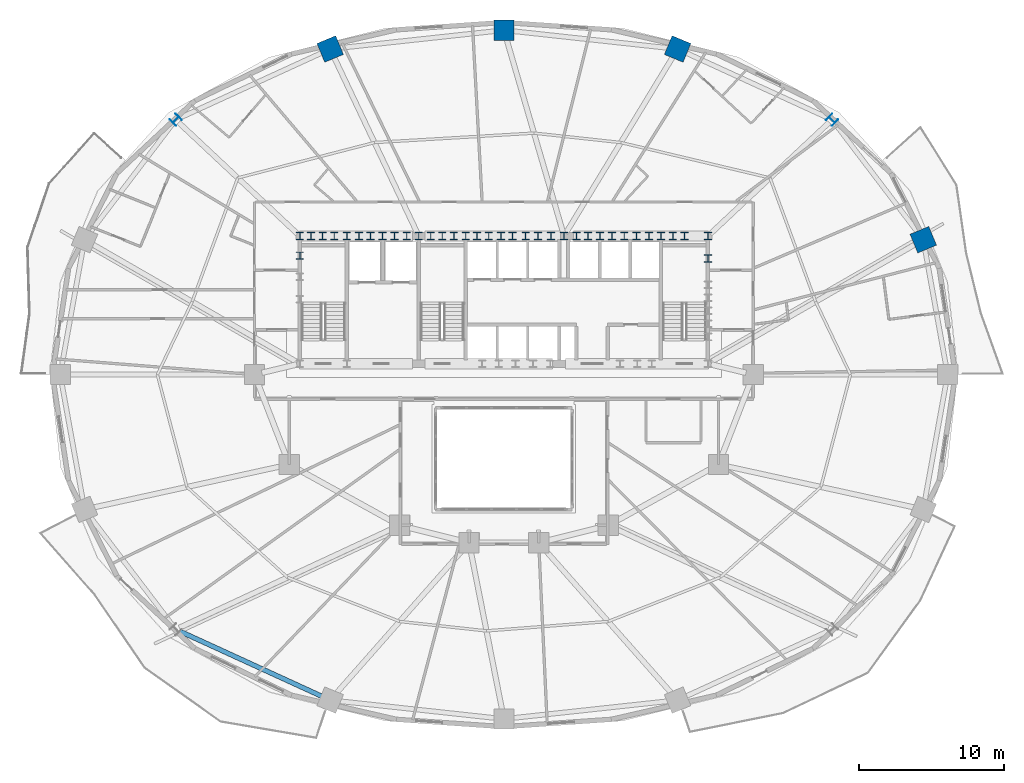
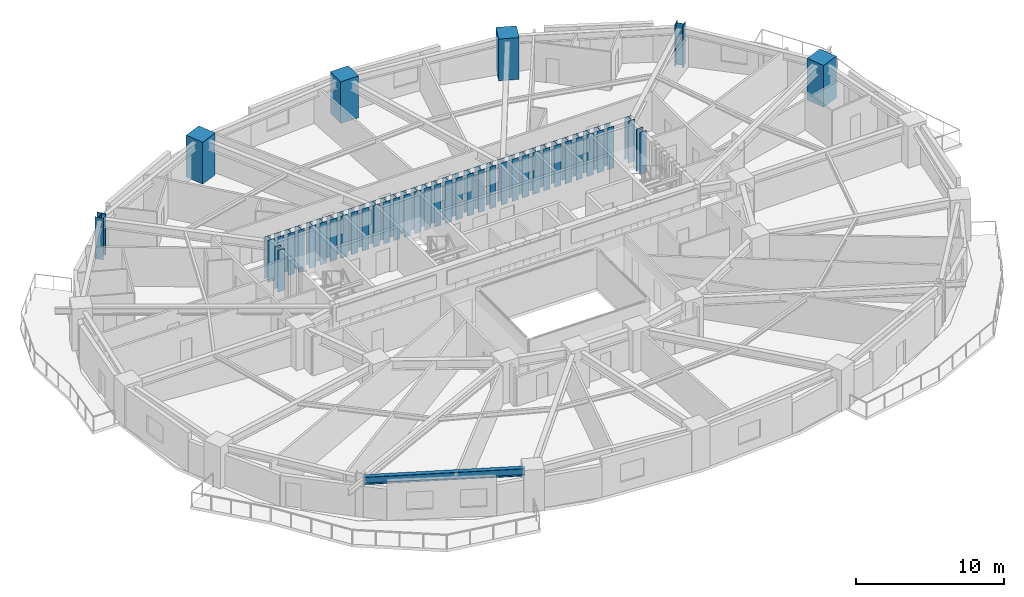
# One storey, part 2 of 17: 42 columns, 1 beam.
"""IFC4 building model written with IfcOpenShell, lengths in metres."""

from ifc_helpers import new_model, si_unit, direction, frame, origin, origin_2d, place, context, subcontext, project, spatial, rectangle, i_section, extrude, material, material_profile, profile_set, type_object, element, save


model = new_model("IFC4")

# Units and contexts
model_context = context("Model", 3, precision=1e-05, world=origin(), true_north=direction((0.0, 1.0)))
body_context = subcontext(model_context, "Body", "Model", "MODEL_VIEW")
ifc_project = project(units=[si_unit("LENGTHUNIT", "METRE"), si_unit("AREAUNIT", "SQUARE_METRE"), si_unit("VOLUMEUNIT", "CUBIC_METRE"), si_unit("PLANEANGLEUNIT", "RADIAN"), si_unit("MASSUNIT", "GRAM", prefix="KILO")], contexts=[model_context])

# Site, building, storey
site_placement = place(None, origin())
site = spatial("IfcSite", under=ifc_project, at=site_placement, CompositionType="ELEMENT")
building_placement = place(site_placement, origin())
building = spatial("IfcBuilding", under=site, at=building_placement, Name="Haldorwick Loom Tower", CompositionType="ELEMENT")
storey_placement = place(building_placement, frame((0.0, 0.0, 30.89990234375)))
storey = spatial("IfcBuildingStorey", under=building, at=storey_placement, Name="L07", CompositionType="ELEMENT", Elevation=30.89990234375)

# Columns
ifc_material_1 = material(Name="Concrete C60 (60 MPa)", Category="concrete")
ifc_material_profile_1 = material_profile(ifc_material_1, rectangle(XDim=1.39990234375, YDim=1.39990234375, at=origin_2d()), Name="RC1400X1400", Category="concrete")
ifc_profile_set_1 = profile_set([ifc_material_profile_1], Name="Concrete C60 (60 MPa)")
column_type_1 = type_object("IfcColumnType", Name="STR-COL-RC1400", PredefinedType="PILASTER", material=ifc_profile_set_1)
for number, where, z_axis, x_axis, name in (
    (1, (64.91748046875, 35.29931640625, 0.0), (0.0, 0.0, 1.0), (0.923879532511, 0.382683432365, 0.0), "L07 Perimeter Pier Column P02"),
    (2, (47.97802734375, 48.4501953125, 0.0), (0.0, 0.0, 1.0), (0.382683432365, 0.923879532511, 0.0), "L07 Perimeter Pier Column P04"),
    (3, (36.0, 49.75, 0.0), (0.0, 0.0, 1.0), (0.0, 1.0, 0.0), "L07 Perimeter Pier Column P05"),
    (4, (24.02197265625, 48.4501953125, 0.0), (0.0, 0.0, 1.0), (-0.382683432365, 0.923879532511, 0.0), "L07 Perimeter Pier Column P06"),
):
    element("IfcColumn", number, at=place(storey_placement, frame(where, z_axis=z_axis, x_axis=x_axis)), inside=storey, type_object=column_type_1, Name=name, PredefinedType="PILASTER", context=body_context, shape_type="SweptSolid", body=[
        extrude(rectangle(XDim=1.39990234375, YDim=1.39990234375, at=origin_2d()), origin(), (0.0, 0.0, 1.0), 3.4501953125),
    ])
ifc_material_2 = material(Name="Steel CSA G40.21 350WT", Category="steel")
ifc_material_profile_2 = material_profile(ifc_material_2, i_section(OverallWidth=0.5, OverallDepth=0.5, WebThickness=0.02197265625, FlangeThickness=0.031982421875, at=origin_2d()), Name="WWF500X500", Category="steel")
ifc_profile_set_2 = profile_set([ifc_material_profile_2], Name="Steel CSA G40.21 350WT")
column_type_2 = type_object("IfcColumnType", Name="STR-COL-WWF500", PredefinedType="COLUMN", material=ifc_profile_set_2)
for number, where, z_axis, x_axis, name in (
    (5, (21.929931640625, 35.550048828125, 0.0), (0.0, 0.0, 1.0), (1.0, 0.0, 0.0), "L07 Core Pilaster CB-01"),
    (6, (23.5, 35.550048828125, 0.0), (0.0, 0.0, 1.0), (1.0, 0.0, 0.0), "L07 Core Pilaster CB-02"),
    (7, (25.169921875, 35.550048828125, 0.0), (0.0, 0.0, 1.0), (1.0, 0.0, 0.0), "L07 Core Pilaster CB-03"),
    (8, (26.800048828125, 35.550048828125, 0.0), (0.0, 0.0, 1.0), (1.0, 0.0, 0.0), "L07 Core Pilaster CB-04"),
    (9, (28.449951171875, 35.550048828125, 0.0), (0.0, 0.0, 1.0), (1.0, 0.0, 0.0), "L07 Core Pilaster CB-05"),
    (10, (30.1298828125, 35.550048828125, 0.0), (0.0, 0.0, 1.0), (1.0, 0.0, 0.0), "L07 Core Pilaster CB-06"),
    (11, (31.75, 35.550048828125, 0.0), (0.0, 0.0, 1.0), (1.0, 0.0, 0.0), "L07 Core Pilaster CB-07"),
    (12, (33.3701171875, 35.550048828125, 0.0), (0.0, 0.0, 1.0), (1.0, 0.0, 0.0), "L07 Core Pilaster CB-08"),
    (13, (34.949951171875, 35.550048828125, 0.0), (0.0, 0.0, 1.0), (1.0, 0.0, 0.0), "L07 Core Pilaster CB-09"),
    (14, (36.60009765625, 35.550048828125, 0.0), (0.0, 0.0, 1.0), (1.0, 0.0, 0.0), "L07 Core Pilaster CB-10"),
    (15, (38.35009765625, 35.550048828125, 0.0), (0.0, 0.0, 1.0), (1.0, 0.0, 0.0), "L07 Core Pilaster CB-11"),
    (16, (40.14990234375, 35.550048828125, 0.0), (0.0, 0.0, 1.0), (1.0, 0.0, 0.0), "L07 Core Pilaster CB-12"),
    (17, (41.800048828125, 35.550048828125, 0.0), (0.0, 0.0, 1.0), (1.0, 0.0, 0.0), "L07 Core Pilaster CB-13"),
    (18, (43.449951171875, 35.550048828125, 0.0), (0.0, 0.0, 1.0), (1.0, 0.0, 0.0), "L07 Core Pilaster CB-14"),
    (19, (45.14990234375, 35.550048828125, 0.0), (0.0, 0.0, 1.0), (1.0, 0.0, 0.0), "L07 Core Pilaster CB-15"),
    (20, (46.830078125, 35.550048828125, 0.0), (0.0, 0.0, 1.0), (1.0, 0.0, 0.0), "L07 Core Pilaster CB-16"),
    (21, (48.449951171875, 35.550048828125, 0.0), (0.0, 0.0, 1.0), (1.0, 0.0, 0.0), "L07 Core Pilaster CB-17"),
    (22, (50.070068359375, 35.550048828125, 0.0), (0.0, 0.0, 1.0), (1.0, 0.0, 0.0), "L07 Core Pilaster CB-18"),
    (23, (21.929931640625, 34.199951171875, 0.0), (0.0, 0.0, 1.0), (1.0, 0.0, 0.0), "L07 Core Pilaster CB-28"),
    (24, (50.070068359375, 34.0, 0.0), (0.0, 0.0, 1.0), (1.0, 0.0, 0.0), "L07 Core Pilaster CB-32"),
    (25, (22.699951171875, 35.550048828125, 0.0), (0.0, 0.0, 1.0), (1.0, 0.0, 0.0), "L07 Core Pilaster CB-33"),
    (26, (27.6201171875, 35.550048828125, 0.0), (0.0, 0.0, 1.0), (1.0, 0.0, 0.0), "L07 Core Pilaster CB-34"),
    (27, (32.550048828125, 35.550048828125, 0.0), (0.0, 0.0, 1.0), (1.0, 0.0, 0.0), "L07 Core Pilaster CB-35"),
    (28, (37.5, 35.550048828125, 0.0), (0.0, 0.0, 1.0), (1.0, 0.0, 0.0), "L07 Core Pilaster CB-36"),
    (29, (42.6201171875, 35.550048828125, 0.0), (0.0, 0.0, 1.0), (1.0, 0.0, 0.0), "L07 Core Pilaster CB-37"),
    (30, (47.64990234375, 35.550048828125, 0.0), (0.0, 0.0, 1.0), (1.0, 0.0, 0.0), "L07 Core Pilaster CB-38"),
    (31, (24.300048828125, 35.550048828125, 0.0), (0.0, 0.0, 1.0), (1.0, 0.0, 0.0), "L07 Core Pilaster CB-39"),
    (32, (26.0, 35.550048828125, 0.0), (0.0, 0.0, 1.0), (1.0, 0.0, 0.0), "L07 Core Pilaster CB-40"),
    (33, (29.300048828125, 35.550048828125, 0.0), (0.0, 0.0, 1.0), (1.0, 0.0, 0.0), "L07 Core Pilaster CB-41"),
    (34, (30.949951171875, 35.550048828125, 0.0), (0.0, 0.0, 1.0), (1.0, 0.0, 0.0), "L07 Core Pilaster CB-42"),
    (35, (34.14990234375, 35.550048828125, 0.0), (0.0, 0.0, 1.0), (1.0, 0.0, 0.0), "L07 Core Pilaster CB-43"),
    (36, (35.800048828125, 35.550048828125, 0.0), (0.0, 0.0, 1.0), (1.0, 0.0, 0.0), "L07 Core Pilaster CB-44"),
    (37, (39.25, 35.550048828125, 0.0), (0.0, 0.0, 1.0), (1.0, 0.0, 0.0), "L07 Core Pilaster CB-45"),
    (38, (41.0, 35.550048828125, 0.0), (0.0, 0.0, 1.0), (1.0, 0.0, 0.0), "L07 Core Pilaster CB-46"),
    (39, (44.300048828125, 35.550048828125, 0.0), (0.0, 0.0, 1.0), (1.0, 0.0, 0.0), "L07 Core Pilaster CB-47"),
    (40, (46.0, 35.550048828125, 0.0), (0.0, 0.0, 1.0), (1.0, 0.0, 0.0), "L07 Core Pilaster CB-48"),
):
    element("IfcColumn", number, at=place(storey_placement, frame(where, z_axis=z_axis, x_axis=x_axis)), inside=storey, type_object=column_type_2, Name=name, PredefinedType="COLUMN", context=body_context, shape_type="SweptSolid", body=[
        extrude(i_section(OverallWidth=0.5, OverallDepth=0.5, WebThickness=0.02197265625, FlangeThickness=0.031982421875, at=origin_2d()), origin(), (0.0, 0.0, 1.0), 3.4501953125),
    ])
ifc_material_profile_3 = material_profile(ifc_material_2, i_section(OverallWidth=0.60009765625, OverallDepth=0.60009765625, WebThickness=0.02490234375, FlangeThickness=0.035888671875, at=origin_2d()), Name="WWF600X600", Category="steel")
ifc_profile_set_3 = profile_set([ifc_material_profile_3], Name="Steel CSA G40.21 350WT")
column_type_3 = type_object("IfcColumnType", Name="STR-COL-WWF600", PredefinedType="COLUMN", material=ifc_profile_set_3)
for number, where, z_axis, x_axis, name in (
    (41, (58.630126953125, 43.571533203125, 0.0), (0.0, 0.0, 1.0), (0.707106781187, 0.707106781187, 0.0), "L07 Perimeter Pier Column P03"),
    (42, (13.369873046875, 43.571533203125, 0.0), (0.0, 0.0, 1.0), (-0.707106781187, 0.707106781187, 0.0), "L07 Perimeter Pier Column P07"),
):
    element("IfcColumn", number, at=place(storey_placement, frame(where, z_axis=z_axis, x_axis=x_axis)), inside=storey, type_object=column_type_3, Name=name, PredefinedType="COLUMN", context=body_context, shape_type="SweptSolid", body=[
        extrude(i_section(OverallWidth=0.60009765625, OverallDepth=0.60009765625, WebThickness=0.02490234375, FlangeThickness=0.035888671875, at=origin_2d()), origin(), (0.0, 0.0, 1.0), 3.4501953125),
    ])

# Beam
ifc_material_3 = material(Name="Steel CSA G40.21 350W", Category="steel")
ifc_material_profile_4 = material_profile(ifc_material_3, i_section(OverallWidth=0.324951171875, OverallDepth=0.615966796875, WebThickness=0.013916015625, FlangeThickness=0.021484375, at=origin_2d()), Name="W610X174", Category="steel")
ifc_profile_set_4 = profile_set([ifc_material_profile_4], Name="Steel CSA G40.21 350W")
beam_type = type_object("IfcBeamType", Name="STR-BM-SP610", PredefinedType="SPANDREL", material=ifc_profile_set_4)
beam_placement = place(storey_placement, frame((13.619873046875, 8.31396484375, 2.902099609375), z_axis=(0.909173805321, -0.416416848504, 0.0), x_axis=(0.416416848504, 0.909173805321, 0.0)))
element("IfcBeam", 43, at=beam_placement, inside=storey, type_object=beam_type, Name="L07 Perimeter Spandrel 11", PredefinedType="SPANDREL", context=body_context, shape_type="SweptSolid", body=[
    extrude(i_section(OverallWidth=0.324951171875, OverallDepth=0.615966796875, WebThickness=0.013916015625, FlangeThickness=0.021484375, at=origin_2d()), origin(), (0.0, 0.0, 1.0), 10.92138671875),
])

save(model, "model.ifc")
